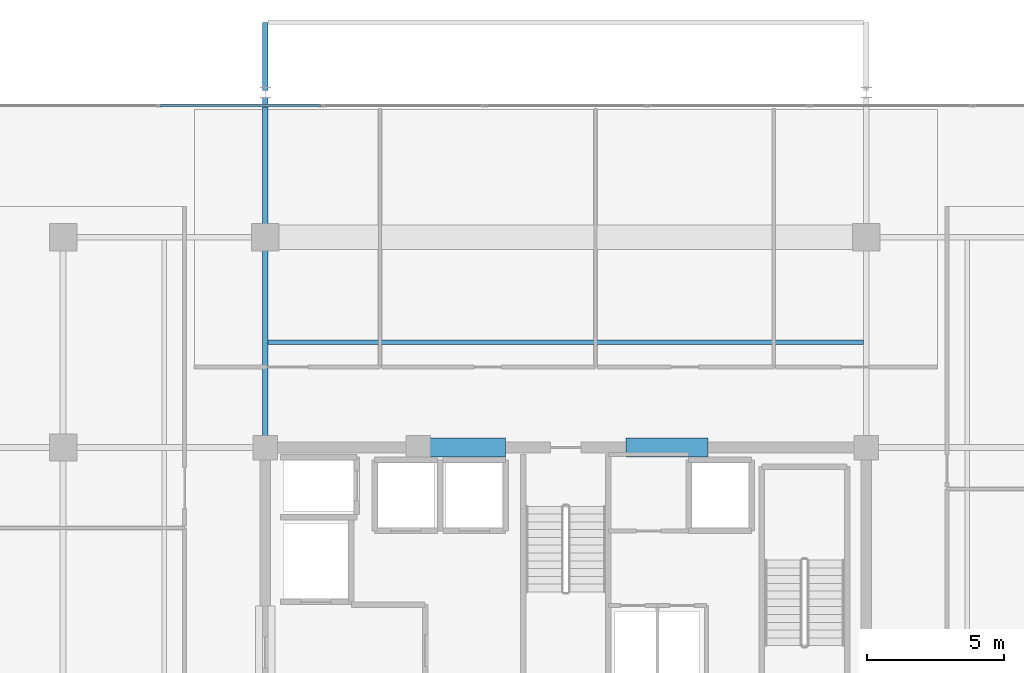
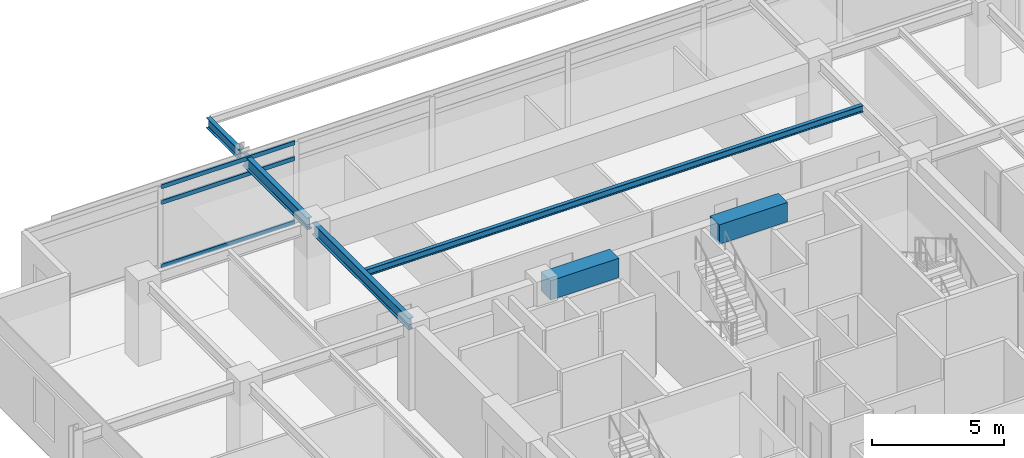
# One storey, part 6 of 21: 6 beams, 3 members, 1 element without a shape of its own.
"""IFC4 building model written with IfcOpenShell, lengths in metres."""

from ifc_helpers import new_model, si_unit, direction, frame, origin, origin_2d, place, context, subcontext, project, spatial, rectangle, hollow_rectangle, i_section, extrude, material, material_profile, profile_set, type_object, element, aggregate, save


model = new_model("IFC4")

# Units and contexts
model_context = context("Model", 3, precision=1e-05, world=origin(), true_north=direction((0.0, 1.0)))
body_context = subcontext(model_context, "Body", "Model", "MODEL_VIEW")
ifc_project = project(units=[si_unit("LENGTHUNIT", "METRE"), si_unit("AREAUNIT", "SQUARE_METRE"), si_unit("VOLUMEUNIT", "CUBIC_METRE"), si_unit("PLANEANGLEUNIT", "RADIAN"), si_unit("MASSUNIT", "GRAM", prefix="KILO")], contexts=[model_context])

# Site, building, storey
site_placement = place(None, origin())
site = spatial("IfcSite", under=ifc_project, at=site_placement, CompositionType="ELEMENT")
building_placement = place(site_placement, origin())
building = spatial("IfcBuilding", under=site, at=building_placement, Name="Kovane Verandah Tower", CompositionType="ELEMENT")
storey_placement = place(building_placement, frame((0.0, 0.0, 314.800048828125)))
storey = spatial("IfcBuildingStorey", under=building, at=storey_placement, Name="L73", CompositionType="ELEMENT", Elevation=314.800048828125)

# Beams
ifc_material_1 = material(Name="Concrete C60/75", Category="concrete")
ifc_material_profile_1 = material_profile(ifc_material_1, rectangle(XDim=0.699951171875, YDim=0.89990234375, at=origin_2d()), Name="RCB700x900")
ifc_profile_set_1 = profile_set([ifc_material_profile_1], Name="Concrete C60/75")
beam_type_1 = type_object("IfcBeamType", Name="BM-LINTEL-700x900", PredefinedType="LINTEL", material=ifc_profile_set_1)
for number, where, z_axis, x_axis, name in (
    (1, (34.800048828125, 36.5, 3.3349609375), (1.0, 0.0, 0.0), (0.0, 1.0, 0.0), "L73 Core Coupling Lintel CL-N1"),
    (2, (42.199951171875, 36.5, 3.3349609375), (1.0, 0.0, 0.0), (0.0, 1.0, 0.0), "L73 Core Coupling Lintel CL-N2"),
):
    element("IfcBeam", number, at=place(storey_placement, frame(where, z_axis=z_axis, x_axis=x_axis)), inside=storey, type_object=beam_type_1, Name=name, PredefinedType="LINTEL", context=body_context, shape_type="SweptSolid", body=[
        extrude(rectangle(XDim=0.699951171875, YDim=0.89990234375, at=origin_2d()), origin(), (0.0, 0.0, 1.0), 3.0),
    ])
ifc_material_2 = material(Name="Steel S355", Category="steel")
ifc_material_profile_2 = material_profile(ifc_material_2, i_section(OverallWidth=0.2119140625, OverallDepth=0.54443359375, WebThickness=0.0126953125, FlangeThickness=0.021240234375, FilletRadius=0.0126953125, at=origin_2d()), Name="UB533x210x122")
ifc_profile_set_2 = profile_set([ifc_material_profile_2], Name="Steel S355")
beam_type_2 = type_object("IfcBeamType", Name="BM-UB533x122", PredefinedType="BEAM", material=ifc_profile_set_2)
beam_1_placement = place(storey_placement, frame((29.0, 36.679931640625, 3.5126953125), z_axis=(0.0, 1.0, 0.0), x_axis=(-1.0, 0.0, 0.0)))
element("IfcBeam", 3, at=beam_1_placement, inside=storey, type_object=beam_type_2, Name="L73 Primary Tower Girder G-N1", PredefinedType="BEAM", context=body_context, shape_type="SweptSolid", body=[
    extrude(i_section(OverallWidth=0.2119140625, OverallDepth=0.54443359375, WebThickness=0.0126953125, FlangeThickness=0.021240234375, FilletRadius=0.0126953125, at=origin_2d()), origin(), (0.0, 0.0, 1.0), 7.340087890625),
])
beam_2_placement = place(storey_placement, frame((29.0, 44.3798828125, 3.48779296875), z_axis=(0.0, 1.0, 0.0), x_axis=(-1.0, 0.0, 0.0)))
element("IfcBeam", 4, at=beam_2_placement, inside=storey, type_object=beam_type_2, Name="L73 Primary Tower Girder G-VN1", PredefinedType="BEAM", context=body_context, shape_type="SweptSolid", body=[
    extrude(i_section(OverallWidth=0.2119140625, OverallDepth=0.54443359375, WebThickness=0.0126953125, FlangeThickness=0.021240234375, FilletRadius=0.0126953125, at=origin_2d()), origin(), (0.0, 0.0, 1.0), 4.940185546875),
])

# Curtain wall, members
ifc_material_3 = material(Name="Champagne Anodised Aluminium Frame with Low-E Clear Laminated Glass", Category="aluminium")
curtain_wall_type = type_object("IfcCurtainWallType", Name="CW-SYS-05-HIGH", PredefinedType="NOTDEFINED", material=ifc_material_3)
curtain_wall_placement = place(storey_placement, origin())
curtain_wall = element("IfcCurtainWall", 5, at=curtain_wall_placement, inside=storey, type_object=curtain_wall_type, Name="L73 N Unitised Curtain Wall", PredefinedType="NOTDEFINED")
ifc_material_4 = material(Name="Champagne Anodised Aluminium 6063-T6", Category="aluminium")
ifc_material_profile_3 = material_profile(ifc_material_4, hollow_rectangle(XDim=0.0849609375, YDim=0.18994140625, WallThickness=0.00390625, at=origin_2d()), Name="AL85x190x4")
ifc_profile_set_3 = profile_set([ifc_material_profile_3], Name="Champagne Anodised Aluminium 6063-T6")
member_type = type_object("IfcMemberType", Name="CW-TRN-85x190", PredefinedType="USERDEFINED", material=ifc_profile_set_3)
member_1_placement = place(storey_placement, frame((31.02001953125, 49.018310546875, 0.050048828125), z_axis=(-1.0, 0.0, 0.0), x_axis=(0.0, -1.0, 0.0)))
member_1 = element("IfcMember", 6, at=member_1_placement, type_object=member_type, Name="L73 N Unitised Curtain Wall Transom TB Bay 6", ObjectType="TRANSOM", PredefinedType="USERDEFINED", context=body_context, shape_type="SweptSolid", body=[
    extrude(hollow_rectangle(XDim=0.0849609375, YDim=0.18994140625, WallThickness=0.00390625, at=origin_2d()), origin(), (0.0, 0.0, 1.0), 5.85302734375),
])
member_2_placement = place(storey_placement, frame((31.02001953125, 49.018310546875, 3.0048828125), z_axis=(-1.0, 0.0, 0.0), x_axis=(0.0, -1.0, 0.0)))
member_2 = element("IfcMember", 7, at=member_2_placement, type_object=member_type, Name="L73 N Unitised Curtain Wall Transom TM Bay 6", ObjectType="TRANSOM", PredefinedType="USERDEFINED", context=body_context, shape_type="SweptSolid", body=[
    extrude(hollow_rectangle(XDim=0.0849609375, YDim=0.18994140625, WallThickness=0.00390625, at=origin_2d()), origin(), (0.0, 0.0, 1.0), 5.85302734375),
])
member_3_placement = place(storey_placement, frame((31.02001953125, 49.018310546875, 3.73486328125), z_axis=(-1.0, 0.0, 0.0), x_axis=(0.0, -1.0, 0.0)))
member_3 = element("IfcMember", 8, at=member_3_placement, type_object=member_type, Name="L73 N Unitised Curtain Wall Transom TT Bay 6", ObjectType="TRANSOM", PredefinedType="USERDEFINED", context=body_context, shape_type="SweptSolid", body=[
    extrude(hollow_rectangle(XDim=0.0849609375, YDim=0.18994140625, WallThickness=0.00390625, at=origin_2d()), origin(), (0.0, 0.0, 1.0), 5.85302734375),
])
aggregate(curtain_wall, [member_1, member_2, member_3])

# Beams
ifc_material_profile_4 = material_profile(ifc_material_2, i_section(OverallWidth=0.1669921875, OverallDepth=0.310302734375, WebThickness=0.0078125, FlangeThickness=0.013671875, FilletRadius=0.0087890625, at=origin_2d()), Name="UB305x165x54")
ifc_profile_set_4 = profile_set([ifc_material_profile_4], Name="Steel S355")
beam_type_3 = type_object("IfcBeamType", Name="JST-UB305x54", PredefinedType="JOIST", material=ifc_profile_set_4)
beam_3_placement = place(storey_placement, frame((29.10400390625, 40.35009765625, 3.629638671875), z_axis=(1.0, 0.0, 0.0), x_axis=(0.0, 1.0, 0.0)))
element("IfcBeam", 9, at=beam_3_placement, inside=storey, type_object=beam_type_3, Name="L73 Secondary Composite Joist J-N1", PredefinedType="JOIST", context=body_context, shape_type="SweptSolid", body=[
    extrude(i_section(OverallWidth=0.1669921875, OverallDepth=0.310302734375, WebThickness=0.0078125, FlangeThickness=0.013671875, FilletRadius=0.0087890625, at=origin_2d()), origin(), (0.0, 0.0, 1.0), 21.7919921875),
])
ifc_material_profile_5 = material_profile(ifc_material_2, i_section(OverallWidth=0.19287109375, OverallDepth=0.46728515625, WebThickness=0.011474609375, FlangeThickness=0.01953125, FilletRadius=0.01025390625, at=origin_2d()), Name="UB457x191x98")
ifc_profile_set_5 = profile_set([ifc_material_profile_5], Name="Steel S355")
beam_type_4 = type_object("IfcBeamType", Name="JST-UB457x98", PredefinedType="JOIST", material=ifc_profile_set_5)
beam_4_placement = place(storey_placement, frame((29.0, 49.580078125, 3.5263671875), z_axis=(0.0, 1.0, 0.0), x_axis=(-1.0, 0.0, 0.0)))
element("IfcBeam", 10, at=beam_4_placement, inside=storey, type_object=beam_type_4, Name="L73 North Planter Girder 1", PredefinedType="JOIST", context=body_context, shape_type="SweptSolid", body=[
    extrude(i_section(OverallWidth=0.19287109375, OverallDepth=0.46728515625, WebThickness=0.011474609375, FlangeThickness=0.01953125, FilletRadius=0.01025390625, at=origin_2d()), origin(), (0.0, 0.0, 1.0), 2.485595703125),
])

save(model, "model.ifc")
